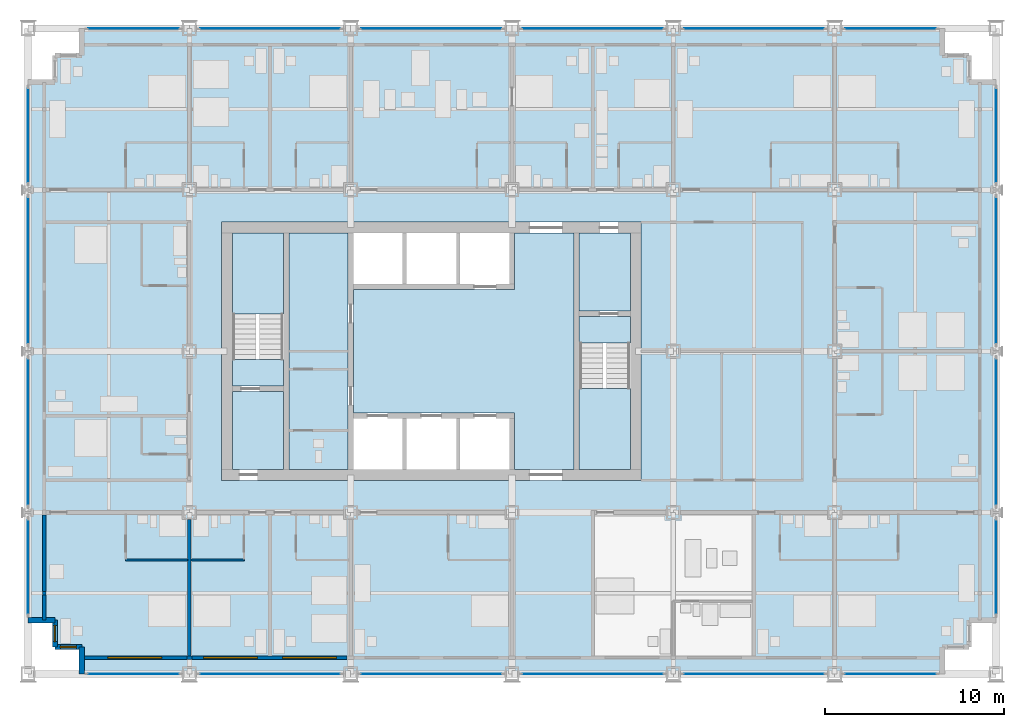
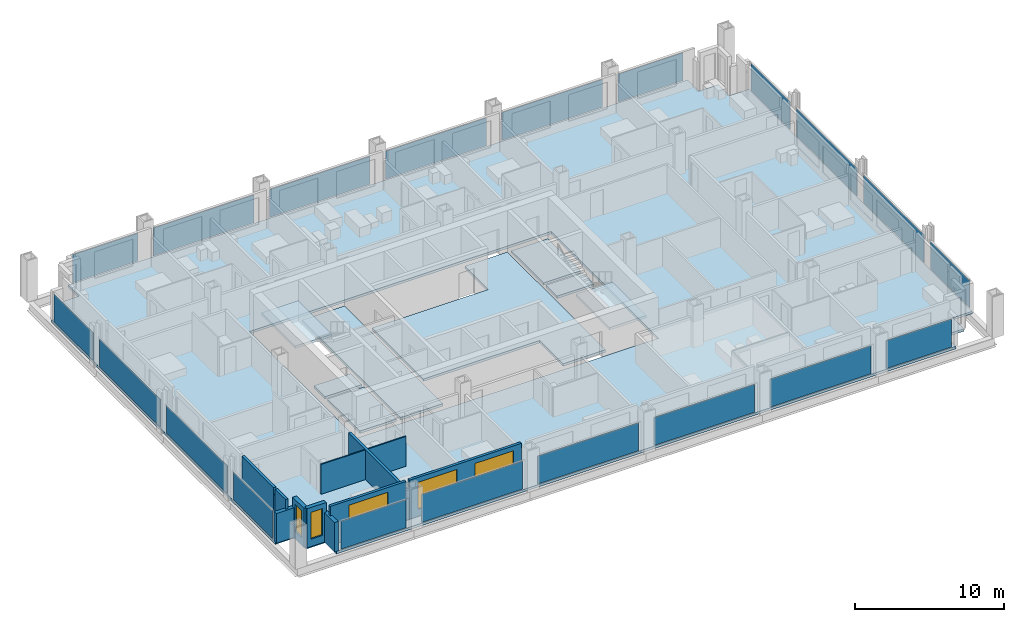
# One storey, part 9 of 18: 20 plates, 13 walls, 9 slabs, 5 windows, 5 openings, 22 elements without a shape of their own.
"""IFC4 building model written with IfcOpenShell, lengths in metres."""

from ifc_helpers import new_model, si_unit, direction, frame, frame_2d, origin, origin_2d, place, context, subcontext, project, spatial, polyline, rectangle, outline, extrude, material, layer, layer_set, type_object, element, fill, aggregate, save


model = new_model("IFC4")

# Units and contexts
model_context = context("Model", 3, precision=1e-05, world=origin(), true_north=direction((0.0, 1.0)))
body_context = subcontext(model_context, "Body", "Model", "MODEL_VIEW")
ifc_project = project(units=[si_unit("LENGTHUNIT", "METRE"), si_unit("AREAUNIT", "SQUARE_METRE"), si_unit("VOLUMEUNIT", "CUBIC_METRE"), si_unit("PLANEANGLEUNIT", "RADIAN"), si_unit("MASSUNIT", "GRAM", prefix="KILO")], contexts=[model_context])

# Site, building, storey
site_placement = place(None, origin())
site = spatial("IfcSite", under=ifc_project, at=site_placement, CompositionType="ELEMENT")
building_placement = place(site_placement, origin())
building = spatial("IfcBuilding", under=site, at=building_placement, Name="Loomwork Tower", CompositionType="ELEMENT")
storey_placement = place(building_placement, frame((0.0, 0.0, 31.39990234375)))
storey = spatial("IfcBuildingStorey", under=building, at=storey_placement, Name="L06", CompositionType="ELEMENT", Elevation=31.39990234375)

# Slabs
ifc_material_1 = material(Name="Concrete 5000 psi (34 MPa) on composite metal deck", Category="concrete")
ifc_layer_1 = layer(ifc_material_1, 0.199951171875)
ifc_layer_set_1 = layer_set([ifc_layer_1], Name="Floor slab 200")
slab_type_1 = type_object("IfcSlabType", Name="Floor slab 200", PredefinedType="FLOOR", material=ifc_layer_set_1)
slab_1_placement = place(storey_placement, frame((0.0, 0.0, -0.199951171875)))
element("IfcSlab", 1, at=slab_1_placement, inside=storey, type_object=slab_type_1, Name="Floor slab L06", PredefinedType="FLOOR", context=body_context, shape_type="SweptSolid", body=[
    extrude(outline(polyline([(3.0, 1.5), (1.5, 1.5), (1.5, 3.0), (0.0, 3.0), (0.0, 33.0), (1.5, 33.0), (1.5, 34.5), (3.0, 34.5), (3.0, 36.0), (51.0, 36.0), (51.0, 34.5), (52.5, 34.5), (52.5, 33.0), (54.0, 33.0), (54.0, 3.0), (52.5, 3.0), (52.5, 1.5), (51.0, 1.5), (51.0, 0.0), (3.0, 0.0), (3.0, 1.5)]), holes=[polyline([(10.800048828125, 11.39990234375), (10.800048828125, 11.39990234375), (10.800048828125, 10.800048828125), (34.199951171875, 10.800048828125), (34.199951171875, 11.39990234375), (34.199951171875, 11.39990234375), (34.199951171875, 24.60009765625), (34.199951171875, 25.199951171875), (10.800048828125, 25.199951171875), (10.800048828125, 24.60009765625), (10.800048828125, 11.39990234375)])]), origin(), (0.0, 0.0, 1.0), 0.199951171875),
])
slab_2_placement = place(storey_placement, frame((0.0, 0.0, -0.199951171875)))
element("IfcSlab", 2, at=slab_2_placement, inside=storey, type_object=slab_type_1, Name="Floor slab L06", PredefinedType="FLOOR", context=body_context, shape_type="SweptSolid", body=[
    extrude(outline(polyline([(30.449951171875, 24.60009765625), (30.449951171875, 11.39990234375), (27.14990234375, 11.39990234375), (27.14990234375, 14.25), (27.14990234375, 14.550048828125), (18.14990234375, 14.550048828125), (18.14990234375, 21.449951171875), (27.14990234375, 21.449951171875), (27.14990234375, 21.75), (27.14990234375, 24.60009765625), (30.449951171875, 24.60009765625)])), origin(), (0.0, 0.0, 1.0), 0.199951171875),
])
slab_3_placement = place(storey_placement, frame((0.0, 0.0, -0.199951171875)))
element("IfcSlab", 3, at=slab_3_placement, inside=storey, type_object=slab_type_1, Name="Floor slab L06", PredefinedType="FLOOR", context=body_context, shape_type="SweptSolid", body=[
    extrude(outline(polyline([(14.550048828125, 11.39990234375), (14.550048828125, 24.60009765625), (17.85009765625, 24.60009765625), (17.85009765625, 11.39990234375), (14.550048828125, 11.39990234375)])), origin(), (0.0, 0.0, 1.0), 0.199951171875),
])
slab_4_placement = place(storey_placement, frame((0.0, 0.0, -0.199951171875)))
element("IfcSlab", 4, at=slab_4_placement, inside=storey, type_object=slab_type_1, Name="Floor slab L06", PredefinedType="FLOOR", context=body_context, shape_type="SweptSolid", body=[
    extrude(outline(polyline([(33.60009765625, 20.25), (30.75, 20.25), (30.75, 24.60009765625), (33.60009765625, 24.60009765625), (33.60009765625, 20.25)])), origin(), (0.0, 0.0, 1.0), 0.199951171875),
])
slab_5_placement = place(storey_placement, frame((0.0, 0.0, -0.199951171875)))
element("IfcSlab", 5, at=slab_5_placement, inside=storey, type_object=slab_type_1, Name="Floor slab L06", PredefinedType="FLOOR", context=body_context, shape_type="SweptSolid", body=[
    extrude(outline(polyline([(14.25, 15.75), (14.25, 11.39990234375), (11.39990234375, 11.39990234375), (11.39990234375, 15.75), (14.25, 15.75)])), origin(), (0.0, 0.0, 1.0), 0.199951171875),
])

# Curtain wall, plate
ifc_material_2 = material(Name="Aluminium curtain wall frame", Category="aluminium")
curtain_wall_type = type_object("IfcCurtainWallType", Name="Outer skin glazing hotel", PredefinedType="NOTDEFINED", material=ifc_material_2)
curtain_wall_1_placement = place(storey_placement, origin())
curtain_wall_1 = element("IfcCurtainWall", 6, at=curtain_wall_1_placement, inside=storey, type_object=curtain_wall_type, Name="Outer skin glazing hotel cw/S-0", PredefinedType="NOTDEFINED")
ifc_material_3 = material(Name="Clear laminated glass", Category="glass")
ifc_layer_2 = layer(ifc_material_3, 0.02392578125)
ifc_layer_set_2 = layer_set([ifc_layer_2], Name="Outer skin glazing hotel panel")
plate_type = type_object("IfcPlateType", Name="Outer skin glazing hotel panel", PredefinedType="CURTAIN_PANEL", material=ifc_layer_set_2)
plate_1_placement = place(storey_placement, frame((5.875, 0.0, 0.06494140625), z_axis=(0.0, 0.0, 1.0), x_axis=(1.0, 0.0, 0.0)))
plate_1 = element("IfcPlate", 7, at=plate_1_placement, type_object=plate_type, Name="CW1 panel 1.1", PredefinedType="CURTAIN_PANEL", context=body_context, shape_type="SweptSolid", body=[
    extrude(rectangle(XDim=5.050048828125, YDim=0.02392578125, at=origin_2d()), origin(), (0.0, 0.0, 1.0), 2.290283203125),
])
aggregate(curtain_wall_1, [plate_1])

curtain_wall_2_placement = place(storey_placement, origin())
curtain_wall_2 = element("IfcCurtainWall", 8, at=curtain_wall_2_placement, inside=storey, type_object=curtain_wall_type, Name="Outer skin glazing hotel cw/S-9", PredefinedType="NOTDEFINED")
plate_2_placement = place(storey_placement, frame((13.5, 0.0, 0.06494140625), z_axis=(0.0, 0.0, 1.0), x_axis=(1.0, 0.0, 0.0)))
plate_2 = element("IfcPlate", 9, at=plate_2_placement, type_object=plate_type, Name="CW1 panel 1.1", PredefinedType="CURTAIN_PANEL", context=body_context, shape_type="SweptSolid", body=[
    extrude(rectangle(XDim=7.800048828125, YDim=0.02392578125, at=origin_2d()), origin(), (0.0, 0.0, 1.0), 2.290283203125),
])
aggregate(curtain_wall_2, [plate_2])

curtain_wall_3_placement = place(storey_placement, origin())
curtain_wall_3 = element("IfcCurtainWall", 10, at=curtain_wall_3_placement, inside=storey, type_object=curtain_wall_type, Name="Outer skin glazing hotel cw/S-18", PredefinedType="NOTDEFINED")
plate_3_placement = place(storey_placement, frame((22.5, 0.0, 0.06494140625), z_axis=(0.0, 0.0, 1.0), x_axis=(1.0, 0.0, 0.0)))
plate_3 = element("IfcPlate", 11, at=plate_3_placement, type_object=plate_type, Name="CW1 panel 1.1", PredefinedType="CURTAIN_PANEL", context=body_context, shape_type="SweptSolid", body=[
    extrude(rectangle(XDim=7.800048828125, YDim=0.02392578125, at=origin_2d()), origin(), (0.0, 0.0, 1.0), 2.290283203125),
])
aggregate(curtain_wall_3, [plate_3])

curtain_wall_4_placement = place(storey_placement, origin())
curtain_wall_4 = element("IfcCurtainWall", 12, at=curtain_wall_4_placement, inside=storey, type_object=curtain_wall_type, Name="Outer skin glazing hotel cw/S-27", PredefinedType="NOTDEFINED")
plate_4_placement = place(storey_placement, frame((31.5, 0.0, 0.06494140625), z_axis=(0.0, 0.0, 1.0), x_axis=(1.0, 0.0, 0.0)))
plate_4 = element("IfcPlate", 13, at=plate_4_placement, type_object=plate_type, Name="CW1 panel 1.1", PredefinedType="CURTAIN_PANEL", context=body_context, shape_type="SweptSolid", body=[
    extrude(rectangle(XDim=7.800048828125, YDim=0.02392578125, at=origin_2d()), origin(), (0.0, 0.0, 1.0), 2.290283203125),
])
aggregate(curtain_wall_4, [plate_4])

curtain_wall_5_placement = place(storey_placement, origin())
curtain_wall_5 = element("IfcCurtainWall", 14, at=curtain_wall_5_placement, inside=storey, type_object=curtain_wall_type, Name="Outer skin glazing hotel cw/S-36", PredefinedType="NOTDEFINED")
plate_5_placement = place(storey_placement, frame((40.5, 0.0, 0.06494140625), z_axis=(0.0, 0.0, 1.0), x_axis=(1.0, 0.0, 0.0)))
plate_5 = element("IfcPlate", 15, at=plate_5_placement, type_object=plate_type, Name="CW1 panel 1.1", PredefinedType="CURTAIN_PANEL", context=body_context, shape_type="SweptSolid", body=[
    extrude(rectangle(XDim=7.800048828125, YDim=0.02392578125, at=origin_2d()), origin(), (0.0, 0.0, 1.0), 2.290283203125),
])
aggregate(curtain_wall_5, [plate_5])

curtain_wall_6_placement = place(storey_placement, origin())
curtain_wall_6 = element("IfcCurtainWall", 16, at=curtain_wall_6_placement, inside=storey, type_object=curtain_wall_type, Name="Outer skin glazing hotel cw/S-45", PredefinedType="NOTDEFINED")
plate_6_placement = place(storey_placement, frame((48.125, 0.0, 0.06494140625), z_axis=(0.0, 0.0, 1.0), x_axis=(1.0, 0.0, 0.0)))
plate_6 = element("IfcPlate", 17, at=plate_6_placement, type_object=plate_type, Name="CW1 panel 1.1", PredefinedType="CURTAIN_PANEL", context=body_context, shape_type="SweptSolid", body=[
    extrude(rectangle(XDim=5.050048828125, YDim=0.02392578125, at=origin_2d()), origin(), (0.0, 0.0, 1.0), 2.290283203125),
])
aggregate(curtain_wall_6, [plate_6])

curtain_wall_7_placement = place(storey_placement, origin())
curtain_wall_7 = element("IfcCurtainWall", 18, at=curtain_wall_7_placement, inside=storey, type_object=curtain_wall_type, Name="Outer skin glazing hotel cw/N-0", PredefinedType="NOTDEFINED")
plate_7_placement = place(storey_placement, frame((5.875, 36.0, 0.06494140625), z_axis=(0.0, 0.0, 1.0), x_axis=(-1.0, 0.0, 0.0)))
plate_7 = element("IfcPlate", 19, at=plate_7_placement, type_object=plate_type, Name="CW1 panel 1.1", PredefinedType="CURTAIN_PANEL", context=body_context, shape_type="SweptSolid", body=[
    extrude(rectangle(XDim=5.050048828125, YDim=0.02392578125, at=origin_2d()), origin(), (0.0, 0.0, 1.0), 2.290283203125),
])
aggregate(curtain_wall_7, [plate_7])

curtain_wall_8_placement = place(storey_placement, origin())
curtain_wall_8 = element("IfcCurtainWall", 20, at=curtain_wall_8_placement, inside=storey, type_object=curtain_wall_type, Name="Outer skin glazing hotel cw/N-9", PredefinedType="NOTDEFINED")
plate_8_placement = place(storey_placement, frame((13.5, 36.0, 0.06494140625), z_axis=(0.0, 0.0, 1.0), x_axis=(-1.0, 0.0, 0.0)))
plate_8 = element("IfcPlate", 21, at=plate_8_placement, type_object=plate_type, Name="CW1 panel 1.1", PredefinedType="CURTAIN_PANEL", context=body_context, shape_type="SweptSolid", body=[
    extrude(rectangle(XDim=7.800048828125, YDim=0.02392578125, at=origin_2d()), origin(), (0.0, 0.0, 1.0), 2.290283203125),
])
aggregate(curtain_wall_8, [plate_8])

curtain_wall_9_placement = place(storey_placement, origin())
curtain_wall_9 = element("IfcCurtainWall", 22, at=curtain_wall_9_placement, inside=storey, type_object=curtain_wall_type, Name="Outer skin glazing hotel cw/N-18", PredefinedType="NOTDEFINED")
plate_9_placement = place(storey_placement, frame((22.5, 36.0, 0.06494140625), z_axis=(0.0, 0.0, 1.0), x_axis=(-1.0, 0.0, 0.0)))
plate_9 = element("IfcPlate", 23, at=plate_9_placement, type_object=plate_type, Name="CW1 panel 1.1", PredefinedType="CURTAIN_PANEL", context=body_context, shape_type="SweptSolid", body=[
    extrude(rectangle(XDim=7.800048828125, YDim=0.02392578125, at=origin_2d()), origin(), (0.0, 0.0, 1.0), 2.290283203125),
])
aggregate(curtain_wall_9, [plate_9])

curtain_wall_10_placement = place(storey_placement, origin())
curtain_wall_10 = element("IfcCurtainWall", 24, at=curtain_wall_10_placement, inside=storey, type_object=curtain_wall_type, Name="Outer skin glazing hotel cw/N-27", PredefinedType="NOTDEFINED")
plate_10_placement = place(storey_placement, frame((31.5, 36.0, 0.06494140625), z_axis=(0.0, 0.0, 1.0), x_axis=(-1.0, 0.0, 0.0)))
plate_10 = element("IfcPlate", 25, at=plate_10_placement, type_object=plate_type, Name="CW1 panel 1.1", PredefinedType="CURTAIN_PANEL", context=body_context, shape_type="SweptSolid", body=[
    extrude(rectangle(XDim=7.800048828125, YDim=0.02392578125, at=origin_2d()), origin(), (0.0, 0.0, 1.0), 2.290283203125),
])
aggregate(curtain_wall_10, [plate_10])

curtain_wall_11_placement = place(storey_placement, origin())
curtain_wall_11 = element("IfcCurtainWall", 26, at=curtain_wall_11_placement, inside=storey, type_object=curtain_wall_type, Name="Outer skin glazing hotel cw/N-36", PredefinedType="NOTDEFINED")
plate_11_placement = place(storey_placement, frame((40.5, 36.0, 0.06494140625), z_axis=(0.0, 0.0, 1.0), x_axis=(-1.0, 0.0, 0.0)))
plate_11 = element("IfcPlate", 27, at=plate_11_placement, type_object=plate_type, Name="CW1 panel 1.1", PredefinedType="CURTAIN_PANEL", context=body_context, shape_type="SweptSolid", body=[
    extrude(rectangle(XDim=7.800048828125, YDim=0.02392578125, at=origin_2d()), origin(), (0.0, 0.0, 1.0), 2.290283203125),
])
aggregate(curtain_wall_11, [plate_11])

curtain_wall_12_placement = place(storey_placement, origin())
curtain_wall_12 = element("IfcCurtainWall", 28, at=curtain_wall_12_placement, inside=storey, type_object=curtain_wall_type, Name="Outer skin glazing hotel cw/N-45", PredefinedType="NOTDEFINED")
plate_12_placement = place(storey_placement, frame((48.125, 36.0, 0.06494140625), z_axis=(0.0, 0.0, 1.0), x_axis=(-1.0, 0.0, 0.0)))
plate_12 = element("IfcPlate", 29, at=plate_12_placement, type_object=plate_type, Name="CW1 panel 1.1", PredefinedType="CURTAIN_PANEL", context=body_context, shape_type="SweptSolid", body=[
    extrude(rectangle(XDim=5.050048828125, YDim=0.02392578125, at=origin_2d()), origin(), (0.0, 0.0, 1.0), 2.290283203125),
])
aggregate(curtain_wall_12, [plate_12])

curtain_wall_13_placement = place(storey_placement, origin())
curtain_wall_13 = element("IfcCurtainWall", 30, at=curtain_wall_13_placement, inside=storey, type_object=curtain_wall_type, Name="Outer skin glazing hotel cw/W-0", PredefinedType="NOTDEFINED")
plate_13_placement = place(storey_placement, frame((0.0, 5.95556640625, 0.06494140625), z_axis=(0.0, 0.0, 1.0), x_axis=(0.0, -1.0, 0.0)))
plate_13 = element("IfcPlate", 31, at=plate_13_placement, type_object=plate_type, Name="CW1 panel 1.1", PredefinedType="CURTAIN_PANEL", context=body_context, shape_type="SweptSolid", body=[
    extrude(rectangle(XDim=5.211181640625, YDim=0.02392578125, at=origin_2d()), origin(), (0.0, 0.0, 1.0), 2.290283203125),
])
aggregate(curtain_wall_13, [plate_13])

curtain_wall_14_placement = place(storey_placement, origin())
curtain_wall_14 = element("IfcCurtainWall", 32, at=curtain_wall_14_placement, inside=storey, type_object=curtain_wall_type, Name="Outer skin glazing hotel cw/W-9", PredefinedType="NOTDEFINED")
plate_14_placement = place(storey_placement, frame((0.0, 13.5, 0.06494140625), z_axis=(0.0, 0.0, 1.0), x_axis=(0.0, -1.0, 0.0)))
plate_14 = element("IfcPlate", 33, at=plate_14_placement, type_object=plate_type, Name="CW1 panel 1.1", PredefinedType="CURTAIN_PANEL", context=body_context, shape_type="SweptSolid", body=[
    extrude(rectangle(XDim=8.122314453125, YDim=0.02392578125, at=origin_2d()), origin(), (0.0, 0.0, 1.0), 2.290283203125),
])
aggregate(curtain_wall_14, [plate_14])

curtain_wall_15_placement = place(storey_placement, origin())
curtain_wall_15 = element("IfcCurtainWall", 34, at=curtain_wall_15_placement, inside=storey, type_object=curtain_wall_type, Name="Outer skin glazing hotel cw/W-18", PredefinedType="NOTDEFINED")
plate_15_placement = place(storey_placement, frame((0.0, 22.5, 0.06494140625), z_axis=(0.0, 0.0, 1.0), x_axis=(0.0, -1.0, 0.0)))
plate_15 = element("IfcPlate", 35, at=plate_15_placement, type_object=plate_type, Name="CW1 panel 1.1", PredefinedType="CURTAIN_PANEL", context=body_context, shape_type="SweptSolid", body=[
    extrude(rectangle(XDim=8.122314453125, YDim=0.02392578125, at=origin_2d()), origin(), (0.0, 0.0, 1.0), 2.290283203125),
])
aggregate(curtain_wall_15, [plate_15])

curtain_wall_16_placement = place(storey_placement, origin())
curtain_wall_16 = element("IfcCurtainWall", 36, at=curtain_wall_16_placement, inside=storey, type_object=curtain_wall_type, Name="Outer skin glazing hotel cw/W-27", PredefinedType="NOTDEFINED")
plate_16_placement = place(storey_placement, frame((0.0, 30.04443359375, 0.06494140625), z_axis=(0.0, 0.0, 1.0), x_axis=(0.0, -1.0, 0.0)))
plate_16 = element("IfcPlate", 37, at=plate_16_placement, type_object=plate_type, Name="CW1 panel 1.1", PredefinedType="CURTAIN_PANEL", context=body_context, shape_type="SweptSolid", body=[
    extrude(rectangle(XDim=5.211181640625, YDim=0.02392578125, at=origin_2d()), origin(), (0.0, 0.0, 1.0), 2.290283203125),
])
aggregate(curtain_wall_16, [plate_16])

curtain_wall_17_placement = place(storey_placement, origin())
curtain_wall_17 = element("IfcCurtainWall", 38, at=curtain_wall_17_placement, inside=storey, type_object=curtain_wall_type, Name="Outer skin glazing hotel cw/E-0", PredefinedType="NOTDEFINED")
plate_17_placement = place(storey_placement, frame((54.0, 5.95556640625, 0.06494140625), z_axis=(0.0, 0.0, 1.0), x_axis=(0.0, 1.0, 0.0)))
plate_17 = element("IfcPlate", 39, at=plate_17_placement, type_object=plate_type, Name="CW1 panel 1.1", PredefinedType="CURTAIN_PANEL", context=body_context, shape_type="SweptSolid", body=[
    extrude(rectangle(XDim=5.211181640625, YDim=0.02392578125, at=origin_2d()), origin(), (0.0, 0.0, 1.0), 2.290283203125),
])
aggregate(curtain_wall_17, [plate_17])

curtain_wall_18_placement = place(storey_placement, origin())
curtain_wall_18 = element("IfcCurtainWall", 40, at=curtain_wall_18_placement, inside=storey, type_object=curtain_wall_type, Name="Outer skin glazing hotel cw/E-9", PredefinedType="NOTDEFINED")
plate_18_placement = place(storey_placement, frame((54.0, 13.5, 0.06494140625), z_axis=(0.0, 0.0, 1.0), x_axis=(0.0, 1.0, 0.0)))
plate_18 = element("IfcPlate", 41, at=plate_18_placement, type_object=plate_type, Name="CW1 panel 1.1", PredefinedType="CURTAIN_PANEL", context=body_context, shape_type="SweptSolid", body=[
    extrude(rectangle(XDim=8.122314453125, YDim=0.02392578125, at=origin_2d()), origin(), (0.0, 0.0, 1.0), 2.290283203125),
])
aggregate(curtain_wall_18, [plate_18])

curtain_wall_19_placement = place(storey_placement, origin())
curtain_wall_19 = element("IfcCurtainWall", 42, at=curtain_wall_19_placement, inside=storey, type_object=curtain_wall_type, Name="Outer skin glazing hotel cw/E-18", PredefinedType="NOTDEFINED")
plate_19_placement = place(storey_placement, frame((54.0, 22.5, 0.06494140625), z_axis=(0.0, 0.0, 1.0), x_axis=(0.0, 1.0, 0.0)))
plate_19 = element("IfcPlate", 43, at=plate_19_placement, type_object=plate_type, Name="CW1 panel 1.1", PredefinedType="CURTAIN_PANEL", context=body_context, shape_type="SweptSolid", body=[
    extrude(rectangle(XDim=8.122314453125, YDim=0.02392578125, at=origin_2d()), origin(), (0.0, 0.0, 1.0), 2.290283203125),
])
aggregate(curtain_wall_19, [plate_19])

curtain_wall_20_placement = place(storey_placement, origin())
curtain_wall_20 = element("IfcCurtainWall", 44, at=curtain_wall_20_placement, inside=storey, type_object=curtain_wall_type, Name="Outer skin glazing hotel cw/E-27", PredefinedType="NOTDEFINED")
plate_20_placement = place(storey_placement, frame((54.0, 30.04443359375, 0.06494140625), z_axis=(0.0, 0.0, 1.0), x_axis=(0.0, 1.0, 0.0)))
plate_20 = element("IfcPlate", 45, at=plate_20_placement, type_object=plate_type, Name="CW1 panel 1.1", PredefinedType="CURTAIN_PANEL", context=body_context, shape_type="SweptSolid", body=[
    extrude(rectangle(XDim=5.211181640625, YDim=0.02392578125, at=origin_2d()), origin(), (0.0, 0.0, 1.0), 2.290283203125),
])
aggregate(curtain_wall_20, [plate_20])

# Stair, slabs
ifc_material_4 = material(Name="Concrete 5000 psi (34 MPa) precast stair", Category="concrete")
stair_type_1 = type_object("IfcStairType", Name="Stair ST-A 20 risers 2850 wide", PredefinedType="HALF_TURN_STAIR", material=ifc_material_4)
stair_1_placement = place(storey_placement, origin())
stair_1 = element("IfcStair", 46, at=stair_1_placement, inside=storey, type_object=stair_type_1, Name="Stair A L06", PredefinedType="HALF_TURN_STAIR")
ifc_material_5 = material(Name="Concrete 5000 psi (34 MPa)", Category="concrete")
ifc_layer_3 = layer(ifc_material_5, 0.199951171875)
ifc_layer_set_3 = layer_set([ifc_layer_3], Name="Stair landing 200")
slab_type_2 = type_object("IfcSlabType", Name="Stair landing 200", PredefinedType="LANDING", material=ifc_layer_set_3)
slab_6_placement = place(storey_placement, frame((0.0, 0.0, -0.199951171875)))
slab_6 = element("IfcSlab", 47, at=slab_6_placement, type_object=slab_type_2, Name="ST-A landing 1", PredefinedType="LANDING", context=body_context, shape_type="SweptSolid", body=[
    extrude(outline(polyline([(11.39990234375, 16.050048828125), (14.25, 16.050048828125), (14.25, 17.550048828125), (11.39990234375, 17.550048828125), (11.39990234375, 16.050048828125)])), origin(), (0.0, 0.0, 1.0), 0.199951171875),
])
slab_7_placement = place(storey_placement, frame((0.0, 0.0, 1.5)))
slab_7 = element("IfcSlab", 48, at=slab_7_placement, type_object=slab_type_2, Name="ST-A landing 2", PredefinedType="LANDING", context=body_context, shape_type="SweptSolid", body=[
    extrude(outline(polyline([(11.39990234375, 20.070068359375), (14.25, 20.070068359375), (14.25, 24.60009765625), (11.39990234375, 24.60009765625), (11.39990234375, 20.070068359375)])), origin(), (0.0, 0.0, 1.0), 0.2001953125),
])
aggregate(stair_1, [slab_6, slab_7])

ifc_material_6 = material(Name="Concrete 5000 psi (34 MPa) precast stair", Category="concrete")
stair_type_2 = type_object("IfcStairType", Name="Stair ST-B 20 risers 2850 wide", PredefinedType="HALF_TURN_STAIR", material=ifc_material_6)
stair_2_placement = place(storey_placement, origin())
stair_2 = element("IfcStair", 49, at=stair_2_placement, inside=storey, type_object=stair_type_2, Name="Stair B L06", PredefinedType="HALF_TURN_STAIR")
slab_8_placement = place(storey_placement, frame((0.0, 0.0, -0.199951171875)))
slab_8 = element("IfcSlab", 50, at=slab_8_placement, type_object=slab_type_2, Name="ST-B landing 1", PredefinedType="LANDING", context=body_context, shape_type="SweptSolid", body=[
    extrude(outline(polyline([(30.75, 18.449951171875), (33.60009765625, 18.449951171875), (33.60009765625, 19.949951171875), (30.75, 19.949951171875), (30.75, 18.449951171875)])), origin(), (0.0, 0.0, 1.0), 0.199951171875),
])
slab_9_placement = place(storey_placement, frame((0.0, 0.0, 1.5)))
slab_9 = element("IfcSlab", 51, at=slab_9_placement, type_object=slab_type_2, Name="ST-B landing 2", PredefinedType="LANDING", context=body_context, shape_type="SweptSolid", body=[
    extrude(outline(polyline([(30.75, 11.39990234375), (33.60009765625, 11.39990234375), (33.60009765625, 15.929931640625), (30.75, 15.929931640625), (30.75, 11.39990234375)])), origin(), (0.0, 0.0, 1.0), 0.2001953125),
])
aggregate(stair_2, [slab_8, slab_9])

# Walls
ifc_material_7 = material(Name="Cement board on steel studs", Category="steel")
ifc_layer_4 = layer(ifc_material_7, 0.10009765625)
ifc_layer_set_4 = layer_set([ifc_layer_4], Name="En-suite partition 100")
wall_type_1 = type_object("IfcWallType", Name="En-suite partition 100", PredefinedType="PARTITIONING", material=ifc_layer_set_4)
wall_1_placement = place(storey_placement, frame((5.449951171875, 6.35009765625, 0.0), z_axis=(0.0, 0.0, 1.0), x_axis=(1.0, 0.0, 0.0)))
element("IfcWall", 52, at=wall_1_placement, inside=storey, type_object=wall_type_1, Name="En-suite wall L06 room 1", PredefinedType="PARTITIONING", context=body_context, shape_type="SweptSolid", body=[
    extrude(rectangle(XDim=3.449951171875, YDim=0.10009765625, at=frame_2d((1.72509765625, 0.0))), origin(), (0.0, 0.0, 1.0), 2.43798828125),
])
wall_2_placement = place(storey_placement, frame((9.10009765625, 6.35009765625, 0.0), z_axis=(0.0, 0.0, 1.0), x_axis=(1.0, 0.0, 0.0)))
element("IfcWall", 53, at=wall_2_placement, inside=storey, type_object=wall_type_1, Name="En-suite wall L06 room 2", PredefinedType="PARTITIONING", context=body_context, shape_type="SweptSolid", body=[
    extrude(rectangle(XDim=2.949951171875, YDim=0.10009765625, at=frame_2d((1.47509765625, 0.0))), origin(), (0.0, 0.0, 1.0), 2.43798828125),
])
ifc_material_8 = material(Name="Gypsum board on steel studs, acoustic", Category="steel")
ifc_layer_5 = layer(ifc_material_8, 0.199951171875)
ifc_layer_set_5 = layer_set([ifc_layer_5], Name="Guest room party wall 200")
wall_type_2 = type_object("IfcWallType", Name="Guest room party wall 200", PredefinedType="PARTITIONING", material=ifc_layer_set_5)
wall_3_placement = place(storey_placement, frame((9.0, 8.60009765625, 0.0), z_axis=(0.0, 0.0, 1.0), x_axis=(0.0, -1.0, 0.0)))
element("IfcWall", 54, at=wall_3_placement, inside=storey, type_object=wall_type_2, Name="Guest room party wall S 9", PredefinedType="PARTITIONING", context=body_context, shape_type="SweptSolid", body=[
    extrude(rectangle(XDim=7.60009765625, YDim=0.199951171875, at=frame_2d((3.800048828125, 0.0))), origin(), (0.0, 0.0, 1.0), 2.43798828125),
])

# Wall, opening, window
ifc_material_9 = material(Name="Insulated steel stud wall with gypsum lining", Category="steel")
ifc_layer_6 = layer(ifc_material_9, 0.199951171875)
ifc_layer_set_6 = layer_set([ifc_layer_6], Name="Inner skin wall 200")
wall_type_3 = type_object("IfcWallType", Name="Inner skin wall 200", PredefinedType="SOLIDWALL", material=ifc_layer_set_6)
wall_4_placement = place(storey_placement, frame((3.0, 0.89990234375, 0.0), z_axis=(0.0, 0.0, 1.0), x_axis=(1.0, 0.0, 0.0)))
wall_4 = element("IfcWall", 55, at=wall_4_placement, inside=storey, type_object=wall_type_3, Name="Inner skin wall S", PredefinedType="SOLIDWALL", context=body_context, shape_type="SweptSolid", body=[
    extrude(rectangle(XDim=5.86474609375, YDim=0.199951171875, at=frame_2d((2.932373046875, 0.0))), origin(), (0.0, 0.0, 1.0), 3.2001953125),
])
opening_1_placement = place(wall_4_placement, frame((1.449951171875, 0.0, 0.60009765625)))
opening_1 = element("IfcOpeningElement", 56, at=opening_1_placement, cuts=wall_4, Name="Opening CH1", PredefinedType="OPENING", context=body_context, shape_type="SweptSolid", body=[
    extrude(rectangle(XDim=3.0, YDim=2.199951171875, at=frame_2d((1.5, 1.10009765625))), frame((0.0, 0.10986328125, 0.0), z_axis=(0.0, -1.0, 0.0), x_axis=(1.0, 0.0, 0.0)), (0.0, 0.0, 1.0), 0.219970703125),
])
ifc_material_10 = material(Name="Aluminium frame with clear insulated glass", Category="aluminium")
window_type_1 = type_object("IfcWindowType", Name="Chicago window 3000", PartitioningType="TRIPLE_PANEL_VERTICAL", PredefinedType="WINDOW", material=ifc_material_10)
window_1_placement = place(opening_1_placement, origin())
window_1 = element("IfcWindow", 57, at=window_1_placement, inside=storey, type_object=window_type_1, Name="Chicago window L06 bay 1", OverallHeight=2.199951171875, OverallWidth=3.0, PartitioningType="TRIPLE_PANEL_VERTICAL", PredefinedType="WINDOW", context=body_context, shape_type="SweptSolid", body=[
    extrude(rectangle(XDim=3.0, YDim=2.199951171875, at=frame_2d((1.5, 1.10009765625))), frame((0.0, 0.030029296875, 0.0), z_axis=(0.0, -1.0, 0.0), x_axis=(1.0, 0.0, 0.0)), (0.0, 0.0, 1.0), 0.06005859375),
])
fill(opening_1, window_1)

# Walls
wall_5_placement = place(storey_placement, frame((0.89990234375, 3.0, 0.0), z_axis=(0.0, 0.0, 1.0), x_axis=(0.0, 1.0, 0.0)))
element("IfcWall", 58, at=wall_5_placement, inside=storey, type_object=wall_type_3, Name="Inner skin wall W", PredefinedType="SOLIDWALL", context=body_context, shape_type="SweptSolid", body=[
    extrude(rectangle(XDim=1.392578125, YDim=0.199951171875, at=frame_2d((0.6962890625, 0.0))), origin(), (0.0, 0.0, 1.0), 3.2001953125),
])
wall_6_placement = place(storey_placement, frame((8.86474609375, 0.89990234375, 0.0), z_axis=(0.0, 0.0, 1.0), x_axis=(1.0, 0.0, 0.0)))
element("IfcWall", 59, at=wall_6_placement, inside=storey, type_object=wall_type_3, Name="Inner skin wall S bay 2", PredefinedType="SOLIDWALL", context=body_context, shape_type="SweptSolid", body=[
    extrude(rectangle(XDim=0.2705078125, YDim=0.199951171875, at=frame_2d((0.13525390625, 0.0))), origin(), (0.0, 0.0, 1.0), 2.43798828125),
])

# Wall, openings, windows
wall_7_placement = place(storey_placement, frame((9.13525390625, 0.89990234375, 0.0), z_axis=(0.0, 0.0, 1.0), x_axis=(1.0, 0.0, 0.0)))
wall_7 = element("IfcWall", 60, at=wall_7_placement, inside=storey, type_object=wall_type_3, Name="Inner skin wall S bay 3", PredefinedType="SOLIDWALL", context=body_context, shape_type="SweptSolid", body=[
    extrude(rectangle(XDim=8.6708984375, YDim=0.199951171875, at=frame_2d((4.33544921875, 0.0))), origin(), (0.0, 0.0, 1.0), 3.2001953125),
])
opening_2_placement = place(wall_7_placement, frame((0.664794921875, 0.0, 0.60009765625)))
opening_2 = element("IfcOpeningElement", 61, at=opening_2_placement, cuts=wall_7, Name="Opening CH1", PredefinedType="OPENING", context=body_context, shape_type="SweptSolid", body=[
    extrude(rectangle(XDim=3.0, YDim=2.199951171875, at=frame_2d((1.5, 1.10009765625))), frame((0.0, 0.10986328125, 0.0), z_axis=(0.0, -1.0, 0.0), x_axis=(1.0, 0.0, 0.0)), (0.0, 0.0, 1.0), 0.219970703125),
])
opening_3_placement = place(wall_7_placement, frame((5.064697265625, 0.0, 0.60009765625)))
opening_3 = element("IfcOpeningElement", 62, at=opening_3_placement, cuts=wall_7, Name="Opening CH1", PredefinedType="OPENING", context=body_context, shape_type="SweptSolid", body=[
    extrude(rectangle(XDim=3.0, YDim=2.199951171875, at=frame_2d((1.5, 1.10009765625))), frame((0.0, 0.10986328125, 0.0), z_axis=(0.0, -1.0, 0.0), x_axis=(1.0, 0.0, 0.0)), (0.0, 0.0, 1.0), 0.219970703125),
])
window_2_placement = place(opening_2_placement, origin())
window_2 = element("IfcWindow", 63, at=window_2_placement, inside=storey, type_object=window_type_1, Name="Chicago window L06 bay 2", OverallHeight=2.199951171875, OverallWidth=3.0, PartitioningType="TRIPLE_PANEL_VERTICAL", PredefinedType="WINDOW", context=body_context, shape_type="SweptSolid", body=[
    extrude(rectangle(XDim=3.0, YDim=2.199951171875, at=frame_2d((1.5, 1.10009765625))), frame((0.0, 0.030029296875, 0.0), z_axis=(0.0, -1.0, 0.0), x_axis=(1.0, 0.0, 0.0)), (0.0, 0.0, 1.0), 0.06005859375),
])
fill(opening_2, window_2)
window_3_placement = place(opening_3_placement, origin())
window_3 = element("IfcWindow", 64, at=window_3_placement, inside=storey, type_object=window_type_1, Name="Chicago window L06 bay 2", OverallHeight=2.199951171875, OverallWidth=3.0, PartitioningType="TRIPLE_PANEL_VERTICAL", PredefinedType="WINDOW", context=body_context, shape_type="SweptSolid", body=[
    extrude(rectangle(XDim=3.0, YDim=2.199951171875, at=frame_2d((1.5, 1.10009765625))), frame((0.0, 0.030029296875, 0.0), z_axis=(0.0, -1.0, 0.0), x_axis=(1.0, 0.0, 0.0)), (0.0, 0.0, 1.0), 0.06005859375),
])
fill(opening_3, window_3)

# Walls
wall_8_placement = place(storey_placement, frame((0.89990234375, 4.392578125, 0.0), z_axis=(0.0, 0.0, 1.0), x_axis=(0.0, 1.0, 0.0)))
element("IfcWall", 65, at=wall_8_placement, inside=storey, type_object=wall_type_3, Name="Inner skin wall W bay 2", PredefinedType="SOLIDWALL", context=body_context, shape_type="SweptSolid", body=[
    extrude(rectangle(XDim=0.21484375, YDim=0.199951171875, at=frame_2d((0.107421875, 0.0))), origin(), (0.0, 0.0, 1.0), 2.6611328125),
])
wall_9_placement = place(storey_placement, frame((0.89990234375, 4.607421875, 0.0), z_axis=(0.0, 0.0, 1.0), x_axis=(0.0, 1.0, 0.0)))
element("IfcWall", 66, at=wall_9_placement, inside=storey, type_object=wall_type_3, Name="Inner skin wall W bay 3", PredefinedType="SOLIDWALL", context=body_context, shape_type="SweptSolid", body=[
    extrude(rectangle(XDim=4.25732421875, YDim=0.199951171875, at=frame_2d((2.128662109375, 0.0))), origin(), (0.0, 0.0, 1.0), 3.2001953125),
])
ifc_material_11 = material(Name="Limestone on concrete masonry", Category="masonry")
ifc_layer_7 = layer(ifc_material_11, 0.300048828125)
ifc_layer_set_7 = layer_set([ifc_layer_7], Name="Limestone corner wall 300")
wall_type_4 = type_object("IfcWallType", Name="Limestone corner wall 300", PredefinedType="SOLIDWALL", material=ifc_layer_set_7)
wall_10_placement = place(storey_placement, frame((0.0, 3.0, 0.0), z_axis=(0.0, 0.0, 1.0), x_axis=(1.0, 0.0, 0.0)))
element("IfcWall", 67, at=wall_10_placement, inside=storey, type_object=wall_type_4, Name="Stone corner wall SW 1", PredefinedType="SOLIDWALL", context=body_context, shape_type="SweptSolid", body=[
    extrude(rectangle(XDim=1.5, YDim=0.300048828125, at=frame_2d((0.75, 0.0))), origin(), (0.0, 0.0, 1.0), 2.420166015625),
])

# Wall, opening, window
wall_11_placement = place(storey_placement, frame((1.5, 3.0, 0.0), z_axis=(0.0, 0.0, 1.0), x_axis=(0.0, -1.0, 0.0)))
wall_11 = element("IfcWall", 68, at=wall_11_placement, inside=storey, type_object=wall_type_4, Name="Stone corner wall SW 2", PredefinedType="SOLIDWALL", context=body_context, shape_type="SweptSolid", body=[
    extrude(rectangle(XDim=1.5, YDim=0.300048828125, at=frame_2d((0.75, 0.0))), origin(), (0.0, 0.0, 1.0), 3.2001953125),
])
opening_4_placement = place(wall_11_placement, frame((0.300048828125, 0.0, 0.60009765625)))
opening_4 = element("IfcOpeningElement", 69, at=opening_4_placement, cuts=wall_11, Name="Opening CH2", PredefinedType="OPENING", context=body_context, shape_type="SweptSolid", body=[
    extrude(rectangle(XDim=0.89990234375, YDim=2.199951171875, at=frame_2d((0.449951171875, 1.10009765625))), frame((0.0, 0.159912109375, 0.0), z_axis=(0.0, -1.0, 0.0), x_axis=(1.0, 0.0, 0.0)), (0.0, 0.0, 1.0), 0.320068359375),
])
ifc_material_12 = material(Name="Aluminium frame with clear insulated glass", Category="aluminium")
window_type_2 = type_object("IfcWindowType", Name="Corner window 900", PartitioningType="SINGLE_PANEL", PredefinedType="WINDOW", material=ifc_material_12)
window_4_placement = place(opening_4_placement, origin())
window_4 = element("IfcWindow", 70, at=window_4_placement, inside=storey, type_object=window_type_2, Name="Corner window SW", OverallHeight=2.199951171875, OverallWidth=0.89990234375, PartitioningType="SINGLE_PANEL", PredefinedType="WINDOW", context=body_context, shape_type="SweptSolid", body=[
    extrude(rectangle(XDim=0.89990234375, YDim=2.199951171875, at=frame_2d((0.449951171875, 1.10009765625))), frame((0.0, 0.030029296875, 0.0), z_axis=(0.0, -1.0, 0.0), x_axis=(1.0, 0.0, 0.0)), (0.0, 0.0, 1.0), 0.06005859375),
])
fill(opening_4, window_4)

wall_12_placement = place(storey_placement, frame((1.5, 1.5, 0.0), z_axis=(0.0, 0.0, 1.0), x_axis=(1.0, 0.0, 0.0)))
wall_12 = element("IfcWall", 71, at=wall_12_placement, inside=storey, type_object=wall_type_4, Name="Stone corner wall SW 3", PredefinedType="SOLIDWALL", context=body_context, shape_type="SweptSolid", body=[
    extrude(rectangle(XDim=1.5, YDim=0.300048828125, at=frame_2d((0.75, 0.0))), origin(), (0.0, 0.0, 1.0), 3.2001953125),
])
opening_5_placement = place(wall_12_placement, frame((0.300048828125, 0.0, 0.60009765625)))
opening_5 = element("IfcOpeningElement", 72, at=opening_5_placement, cuts=wall_12, Name="Opening CH2", PredefinedType="OPENING", context=body_context, shape_type="SweptSolid", body=[
    extrude(rectangle(XDim=0.89990234375, YDim=2.199951171875, at=frame_2d((0.449951171875, 1.10009765625))), frame((0.0, 0.159912109375, 0.0), z_axis=(0.0, -1.0, 0.0), x_axis=(1.0, 0.0, 0.0)), (0.0, 0.0, 1.0), 0.320068359375),
])
window_5_placement = place(opening_5_placement, origin())
window_5 = element("IfcWindow", 73, at=window_5_placement, inside=storey, type_object=window_type_2, Name="Corner window SW", OverallHeight=2.199951171875, OverallWidth=0.89990234375, PartitioningType="SINGLE_PANEL", PredefinedType="WINDOW", context=body_context, shape_type="SweptSolid", body=[
    extrude(rectangle(XDim=0.89990234375, YDim=2.199951171875, at=frame_2d((0.449951171875, 1.10009765625))), frame((0.0, 0.030029296875, 0.0), z_axis=(0.0, -1.0, 0.0), x_axis=(1.0, 0.0, 0.0)), (0.0, 0.0, 1.0), 0.06005859375),
])
fill(opening_5, window_5)

# Wall
wall_13_placement = place(storey_placement, frame((3.0, 1.5, 0.0), z_axis=(0.0, 0.0, 1.0), x_axis=(0.0, -1.0, 0.0)))
element("IfcWall", 74, at=wall_13_placement, inside=storey, type_object=wall_type_4, Name="Stone corner wall SW 4", PredefinedType="SOLIDWALL", context=body_context, shape_type="SweptSolid", body=[
    extrude(rectangle(XDim=1.5, YDim=0.300048828125, at=frame_2d((0.75, 0.0))), origin(), (0.0, 0.0, 1.0), 2.420166015625),
])

save(model, "model.ifc")
